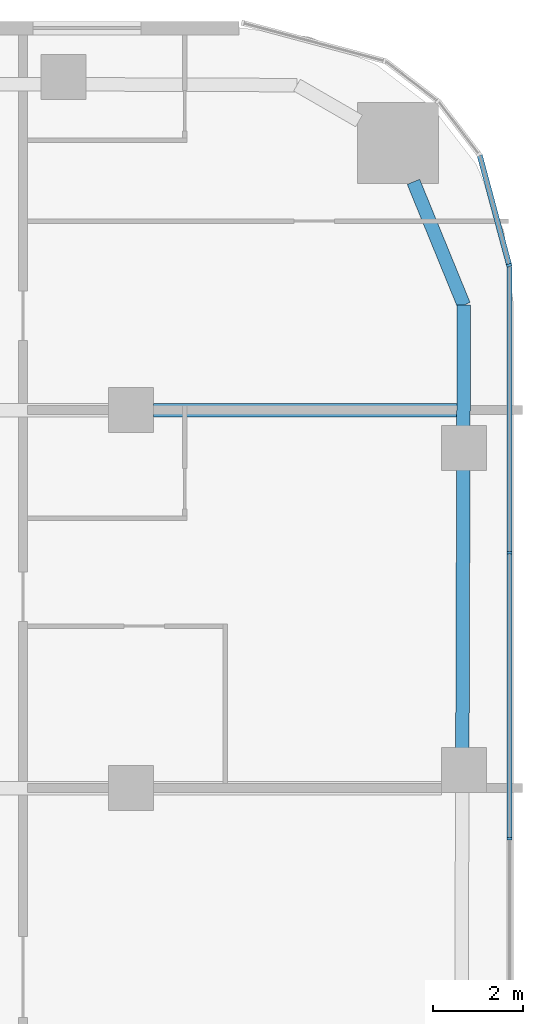
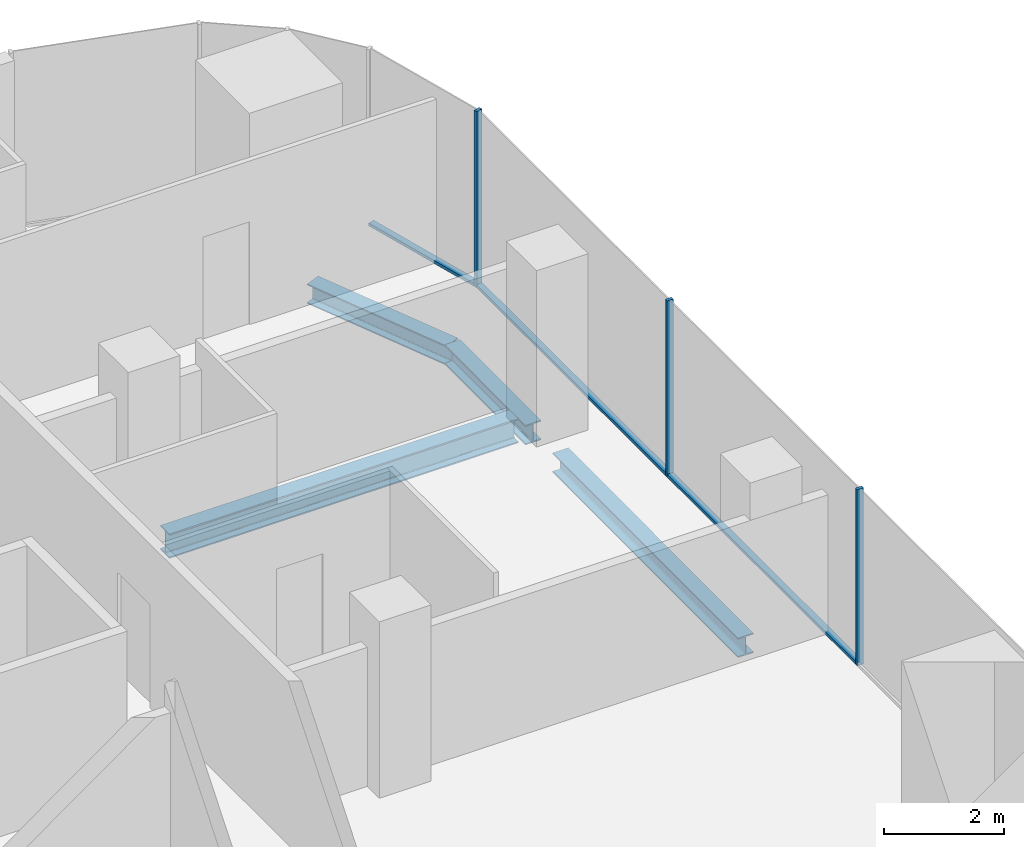
# One storey, part 12 of 26: 6 members, 4 beams, 2 elements without a shape of their own.
"""IFC4 building model written with IfcOpenShell, lengths in metres."""

from ifc_helpers import new_model, si_unit, direction, frame, origin, origin_2d, place, context, subcontext, project, spatial, rectangle, i_section, extrude, material, layer, layer_set, material_profile, profile_set, type_object, element, aggregate, save


model = new_model("IFC4")

# Units and contexts
model_context = context("Model", 3, precision=1e-05, world=origin(), true_north=direction((0.0, 1.0)))
body_context = subcontext(model_context, "Body", "Model", "MODEL_VIEW")
ifc_project = project(units=[si_unit("LENGTHUNIT", "METRE"), si_unit("AREAUNIT", "SQUARE_METRE"), si_unit("VOLUMEUNIT", "CUBIC_METRE"), si_unit("PLANEANGLEUNIT", "RADIAN"), si_unit("MASSUNIT", "GRAM", prefix="KILO")], contexts=[model_context])

# Site, building, storey
site_placement = place(None, origin())
site = spatial("IfcSite", under=ifc_project, at=site_placement, CompositionType="ELEMENT")
building_placement = place(site_placement, origin())
building = spatial("IfcBuilding", under=site, at=building_placement, Name="Marenta Gate Hotel Tower", CompositionType="ELEMENT")
storey_placement = place(building_placement, frame((0.0, 0.0, 58.10009765625)))
storey = spatial("IfcBuildingStorey", under=building, at=storey_placement, Name="L12", CompositionType="ELEMENT", Elevation=58.10009765625)

# Beams
ifc_material_1 = material(Name="Steel S355", Category="steel")
ifc_material_profile_1 = material_profile(ifc_material_1, i_section(OverallWidth=0.300048828125, OverallDepth=0.39990234375, WebThickness=0.013427734375, FlangeThickness=0.02392578125, FilletRadius=0.027099609375, at=origin_2d()), Name="HEB 400")
ifc_profile_set_1 = profile_set([ifc_material_profile_1], Name="Steel S355")
beam_type_1 = type_object("IfcBeamType", Name="Edge beam HEB 400", PredefinedType="SPANDREL", material=ifc_profile_set_1)
beam_1_placement = place(storey_placement, frame((27.280029296875, 30.2724609375, -0.460205078125), z_axis=(0.378565359962, -0.925574561144, 0.0), x_axis=(0.925574561144, 0.378565359962, 0.0)))
element("IfcBeam", 1, at=beam_1_placement, inside=storey, type_object=beam_type_1, Name="L12-EB-21", PredefinedType="SPANDREL", context=body_context, shape_type="SweptSolid", body=[
    extrude(i_section(OverallWidth=0.300048828125, OverallDepth=0.39990234375, WebThickness=0.013427734375, FlangeThickness=0.02392578125, FilletRadius=0.027099609375, at=origin_2d()), origin(), (0.0, 0.0, 1.0), 2.958251953125),
])
beam_2_placement = place(storey_placement, frame((28.39990234375, 27.534423828125, -0.460205078125), z_axis=(-0.003323434444, -0.999994477376, 0.0), x_axis=(0.999994477376, -0.003323434444, 0.0)))
element("IfcBeam", 2, at=beam_2_placement, inside=storey, type_object=beam_type_1, Name="L12-EB-22", PredefinedType="SPANDREL", context=body_context, shape_type="SweptSolid", body=[
    extrude(i_section(OverallWidth=0.300048828125, OverallDepth=0.39990234375, WebThickness=0.013427734375, FlangeThickness=0.02392578125, FilletRadius=0.027099609375, at=origin_2d()), origin(), (0.0, 0.0, 1.0), 2.718017578125),
])
beam_3_placement = place(storey_placement, frame((28.387939453125, 23.896484375, -0.460205078125), z_axis=(-0.003329137121, -0.999994458408, 0.0), x_axis=(0.999994458408, -0.003329137121, 0.0)))
element("IfcBeam", 3, at=beam_3_placement, inside=storey, type_object=beam_type_1, Name="L12-EB-23", PredefinedType="SPANDREL", context=body_context, shape_type="SweptSolid", body=[
    extrude(i_section(OverallWidth=0.300048828125, OverallDepth=0.39990234375, WebThickness=0.013427734375, FlangeThickness=0.02392578125, FilletRadius=0.027099609375, at=origin_2d()), origin(), (0.0, 0.0, 1.0), 6.2333984375),
])
ifc_material_2 = material(Name="Steel S355", Category="steel")
ifc_material_profile_2 = material_profile(ifc_material_2, i_section(OverallWidth=0.300048828125, OverallDepth=0.5, WebThickness=0.014404296875, FlangeThickness=0.028076171875, FilletRadius=0.027099609375, at=origin_2d()), Name="HEB 500")
ifc_profile_set_2 = profile_set([ifc_material_profile_2], Name="Steel S355")
beam_type_2 = type_object("IfcBeamType", Name="Girder HEB 500", PredefinedType="BEAM", material=ifc_profile_set_2)
beam_4_placement = place(storey_placement, frame((21.5, 25.199951171875, -0.510009765625), z_axis=(1.0, 0.0, 0.0), x_axis=(0.0, 1.0, 0.0)))
element("IfcBeam", 4, at=beam_4_placement, inside=storey, type_object=beam_type_2, Name="L12-GD-28", PredefinedType="BEAM", context=body_context, shape_type="SweptSolid", body=[
    extrude(i_section(OverallWidth=0.300048828125, OverallDepth=0.5, WebThickness=0.014404296875, FlangeThickness=0.028076171875, FilletRadius=0.027099609375, at=origin_2d()), origin(), (0.0, 0.0, 1.0), 6.7421875),
])

# Curtain wall, members
ifc_material_3 = material(Name="Tinted insulated glass in bronze anodised frame", Category="glass")
ifc_layer = layer(ifc_material_3, 0.1201171875)
ifc_layer_set = layer_set([ifc_layer], Name="Tinted insulated glass in bronze anodised frame")
curtain_wall_type = type_object("IfcCurtainWallType", Name="Tower unitised curtain wall CW1", PredefinedType="NOTDEFINED", material=ifc_layer_set)
curtain_wall_1_placement = place(storey_placement, origin())
curtain_wall_1 = element("IfcCurtainWall", 5, at=curtain_wall_1_placement, inside=storey, type_object=curtain_wall_type, Name="CW1 run G11", PredefinedType="NOTDEFINED")
ifc_material_4 = material(Name="Bronze anodised aluminium", Category="aluminium")
ifc_material_profile_3 = material_profile(ifc_material_4, rectangle(XDim=0.1201171875, YDim=0.06005859375, at=origin_2d()), Name="Mullion CW1 60x120 bronze anodised aluminium")
ifc_profile_set_3 = profile_set([ifc_material_profile_3], Name="Bronze anodised aluminium")
member_type_1 = type_object("IfcMemberType", Name="Mullion CW1 60x120 bronze anodised aluminium", PredefinedType="MULLION", material=ifc_profile_set_3)
member_1_placement = place(storey_placement, frame((29.4140625, 15.671875, 0.0), z_axis=(0.0, 0.0, 1.0), x_axis=(-1.0, 0.0, 0.0)))
member_1 = element("IfcMember", 6, at=member_1_placement, type_object=member_type_1, Name="CW1 mullion 5", PredefinedType="MULLION", context=body_context, shape_type="SweptSolid", body=[
    extrude(rectangle(XDim=0.1201171875, YDim=0.06005859375, at=origin_2d()), origin(), (0.0, 0.0, 1.0), 3.599853515625),
])
member_2_placement = place(storey_placement, frame((29.4140625, 22.031982421875, 0.0), z_axis=(0.0, 0.0, 1.0), x_axis=(-1.0, 0.0, 0.0)))
member_2 = element("IfcMember", 7, at=member_2_placement, type_object=member_type_1, Name="CW1 mullion 6", PredefinedType="MULLION", context=body_context, shape_type="SweptSolid", body=[
    extrude(rectangle(XDim=0.1201171875, YDim=0.06005859375, at=origin_2d()), origin(), (0.0, 0.0, 1.0), 3.599853515625),
])

# Curtain wall, member
curtain_wall_2_placement = place(storey_placement, origin())
curtain_wall_2 = element("IfcCurtainWall", 8, at=curtain_wall_2_placement, inside=storey, type_object=curtain_wall_type, Name="CW1 run G12", PredefinedType="NOTDEFINED")
member_3_placement = place(storey_placement, frame((29.40625, 28.4208984375, 0.0), z_axis=(0.0, 0.0, 1.0), x_axis=(-0.965925039579, -0.258821981125, 0.0)))
member_3 = element("IfcMember", 9, at=member_3_placement, type_object=member_type_1, Name="CW1 mullion 1", PredefinedType="MULLION", context=body_context, shape_type="SweptSolid", body=[
    extrude(rectangle(XDim=0.1201171875, YDim=0.06005859375, at=origin_2d()), origin(), (0.0, 0.0, 1.0), 3.599853515625),
])

# Member
ifc_material_5 = material(Name="Bronze anodised aluminium", Category="aluminium")
ifc_material_profile_4 = material_profile(ifc_material_5, rectangle(XDim=0.1201171875, YDim=0.06005859375, at=origin_2d()), Name="Transom CW1 60x120 bronze anodised aluminium")
ifc_profile_set_4 = profile_set([ifc_material_profile_4], Name="Bronze anodised aluminium")
member_type_2 = type_object("IfcMemberType", Name="Transom CW1 60x120 bronze anodised aluminium", PredefinedType="USERDEFINED", material=ifc_profile_set_4)
member_4_placement = place(storey_placement, frame((29.4140625, 15.701904296875, 0.02978515625), z_axis=(0.0, 1.0, 0.0), x_axis=(-1.0, 0.0, 0.0)))
member_4 = element("IfcMember", 10, at=member_4_placement, type_object=member_type_2, Name="CW1 transom 5.1", ObjectType="TRANSOM", PredefinedType="USERDEFINED", context=body_context, shape_type="SweptSolid", body=[
    extrude(rectangle(XDim=0.1201171875, YDim=0.06005859375, at=origin_2d()), origin(), (0.0, 0.0, 1.0), 6.300048828125),
])

member_5_placement = place(storey_placement, frame((29.4140625, 22.06201171875, 0.02978515625), z_axis=(0.0, 1.0, 0.0), x_axis=(-1.0, 0.0, 0.0)))
member_5 = element("IfcMember", 11, at=member_5_placement, type_object=member_type_2, Name="CW1 transom 6.1", ObjectType="TRANSOM", PredefinedType="USERDEFINED", context=body_context, shape_type="SweptSolid", body=[
    extrude(rectangle(XDim=0.1201171875, YDim=0.06005859375, at=origin_2d()), origin(), (0.0, 0.0, 1.0), 6.329833984375),
])

aggregate(curtain_wall_1, [member_1, member_2, member_4, member_5])

member_6_placement = place(storey_placement, frame((29.3984375, 28.449951171875, 0.02978515625), z_axis=(-0.258859731326, 0.96591492353, 0.0), x_axis=(-0.96591492353, -0.258859731326, 0.0)))
member_6 = element("IfcMember", 12, at=member_6_placement, type_object=member_type_2, Name="CW1 transom 1.1", ObjectType="TRANSOM", PredefinedType="USERDEFINED", context=body_context, shape_type="SweptSolid", body=[
    extrude(rectangle(XDim=0.1201171875, YDim=0.06005859375, at=origin_2d()), origin(), (0.0, 0.0, 1.0), 2.500244140625),
])

aggregate(curtain_wall_2, [member_3, member_6])

save(model, "model.ifc")
